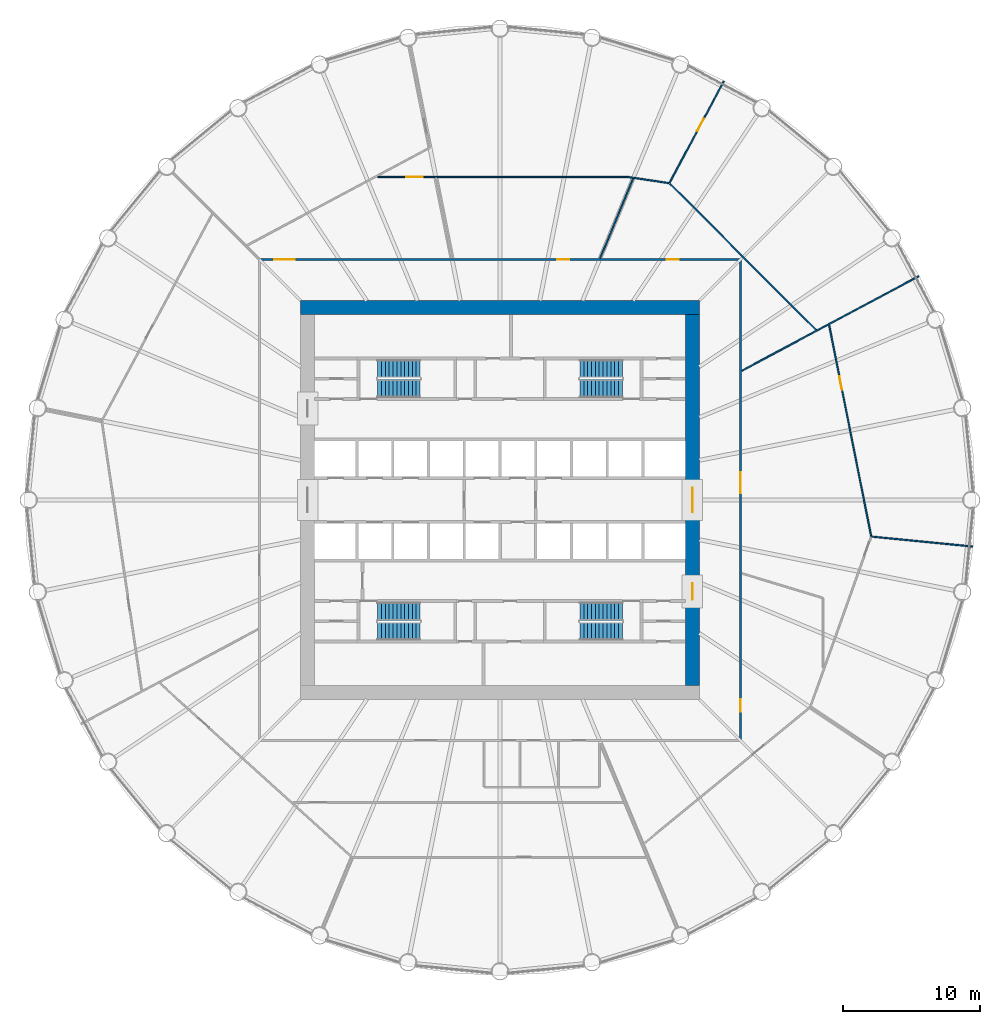
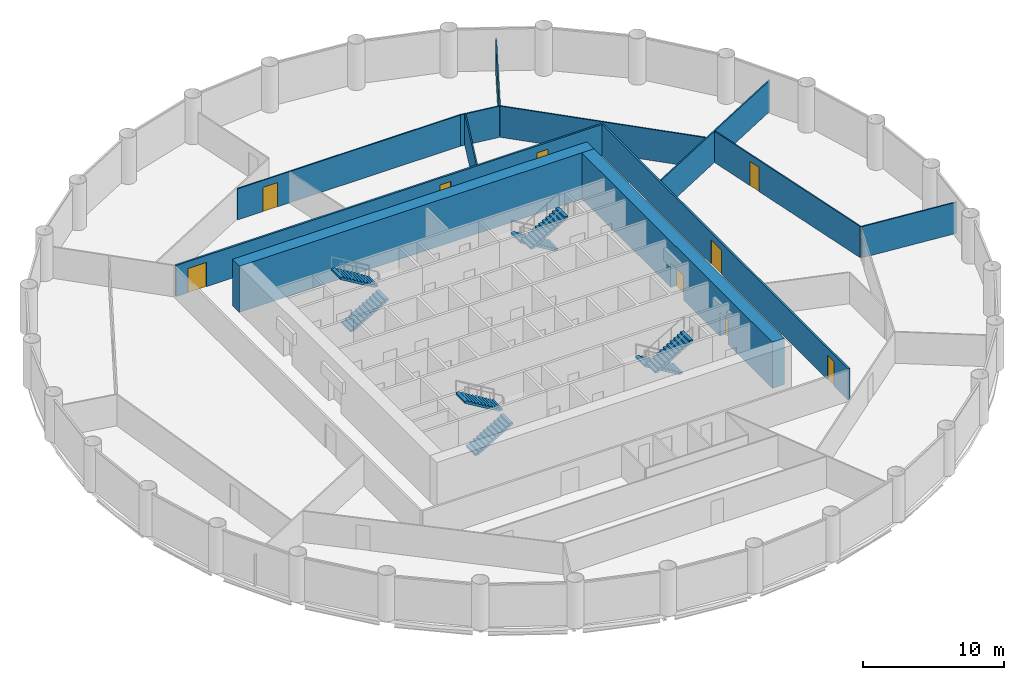
# One storey, part 7 of 8: 12 walls, 10 doors, 8 stair flights, 10 openings, 4 elements without a shape of their own.
"""IFC4 building model written with IfcOpenShell, lengths in metres."""

from ifc_helpers import new_model, si_unit, direction, frame, frame_2d, origin, place, context, subcontext, project, spatial, polyline, rectangle, outline, extrude, material, layer, layer_set, type_object, element, fill, aggregate, save


model = new_model("IFC4")

# Units and contexts
model_context = context("Model", 3, precision=1e-05, world=origin(), true_north=direction((0.0, 1.0)))
body_context = subcontext(model_context, "Body", "Model", "MODEL_VIEW")
ifc_project = project(units=[si_unit("LENGTHUNIT", "METRE"), si_unit("AREAUNIT", "SQUARE_METRE"), si_unit("VOLUMEUNIT", "CUBIC_METRE"), si_unit("PLANEANGLEUNIT", "RADIAN"), si_unit("MASSUNIT", "GRAM", prefix="KILO")], contexts=[model_context])

# Site, building, storey
site_placement = place(None, origin())
site = spatial("IfcSite", under=ifc_project, at=site_placement, CompositionType="ELEMENT")
building_placement = place(site_placement, origin())
building = spatial("IfcBuilding", under=site, at=building_placement, Name="Corvane Civic Tower", CompositionType="ELEMENT")
storey_placement = place(building_placement, frame((0.0, 0.0, 110.5)))
storey = spatial("IfcBuildingStorey", under=building, at=storey_placement, Name="L25", CompositionType="ELEMENT", Elevation=110.5)

# Wall
ifc_material_1 = material(Name="Concrete C70/85", Category="concrete")
ifc_layer_1 = layer(ifc_material_1, 1.0)
ifc_layer_set_1 = layer_set([ifc_layer_1], Name="Concrete C70/85")
wall_type_1 = type_object("IfcWallType", Name="CORE WALL 1000 C70/85", PredefinedType="SHEAR", material=ifc_layer_set_1)
wall_1_placement = place(storey_placement, frame((-14.5, 14.0, 0.0), z_axis=(0.0, 0.0, 1.0), x_axis=(1.0, 0.0, 0.0)))
element("IfcWall", 1, at=wall_1_placement, inside=storey, type_object=wall_type_1, Name="W-L25-core-N", PredefinedType="SHEAR", context=body_context, shape_type="SweptSolid", body=[
    extrude(rectangle(XDim=29.0, YDim=1.0, at=frame_2d((14.5, 0.0))), origin(), (0.0, 0.0, 1.0), 4.0),
])

# Wall, openings, doors
wall_2_placement = place(storey_placement, frame((14.0, -13.5, 0.0), z_axis=(0.0, 0.0, 1.0), x_axis=(0.0, 1.0, 0.0)))
wall_2 = element("IfcWall", 2, at=wall_2_placement, inside=storey, type_object=wall_type_1, Name="W-L25-core-E", PredefinedType="SHEAR", context=body_context, shape_type="SweptSolid", body=[
    extrude(rectangle(XDim=27.0, YDim=1.0, at=frame_2d((13.5, 0.0))), origin(), (0.0, 0.0, 1.0), 4.0),
])
opening_1_placement = place(wall_2_placement, frame((12.60009765625, 0.0, 0.0)))
opening_1 = element("IfcOpeningElement", 3, at=opening_1_placement, cuts=wall_2, Name="Opening L25.C28", PredefinedType="OPENING", context=body_context, shape_type="SweptSolid", body=[
    extrude(rectangle(XDim=1.800048828125, YDim=2.10009765625, at=frame_2d((0.89990234375, 1.050048828125))), frame((0.0, 0.510009765625, 0.0), z_axis=(0.0, -1.0, 0.0), x_axis=(1.0, 0.0, 0.0)), (0.0, 0.0, 1.0), 1.02001953125),
])
opening_2_placement = place(wall_2_placement, frame((6.25, 0.0, 0.0)))
opening_2 = element("IfcOpeningElement", 4, at=opening_2_placement, cuts=wall_2, Name="Opening L25.C30", PredefinedType="OPENING", context=body_context, shape_type="SweptSolid", body=[
    extrude(rectangle(XDim=1.199951171875, YDim=2.10009765625, at=frame_2d((0.60009765625, 1.050048828125))), frame((0.0, 0.510009765625, 0.0), z_axis=(0.0, -1.0, 0.0), x_axis=(1.0, 0.0, 0.0)), (0.0, 0.0, 1.0), 1.02001953125),
])
ifc_material_2 = material(Name="Steel fire door leaf", Category="steel")
door_type_1 = type_object("IfcDoorType", Name="CR-DOOR-CORE-1800", OperationType="DOUBLE_DOOR_SINGLE_SWING", PredefinedType="DOOR", material=ifc_material_2)
door_1_placement = place(opening_1_placement, origin())
door_1 = element("IfcDoor", 5, at=door_1_placement, inside=storey, type_object=door_type_1, Name="L25 door", OperationType="DOUBLE_DOOR_SINGLE_SWING", OverallHeight=2.10009765625, OverallWidth=1.800048828125, PredefinedType="DOOR", context=body_context, shape_type="SweptSolid", body=[
    extrude(rectangle(XDim=1.800048828125, YDim=2.10009765625, at=frame_2d((0.89990234375, 1.050048828125))), frame((0.0, 0.02490234375, 0.0), z_axis=(0.0, -1.0, 0.0), x_axis=(1.0, 0.0, 0.0)), (0.0, 0.0, 1.0), 0.050048828125),
])
fill(opening_1, door_1)
door_2_placement = place(opening_2_placement, origin())
door_2 = element("IfcDoor", 6, at=door_2_placement, inside=storey, type_object=door_type_1, Name="L25 door", OperationType="DOUBLE_DOOR_SINGLE_SWING", OverallHeight=2.10009765625, OverallWidth=1.199951171875, PredefinedType="DOOR", context=body_context, shape_type="SweptSolid", body=[
    extrude(rectangle(XDim=1.199951171875, YDim=2.10009765625, at=frame_2d((0.60009765625, 1.050048828125))), frame((0.0, 0.02490234375, 0.0), z_axis=(0.0, -1.0, 0.0), x_axis=(1.0, 0.0, 0.0)), (0.0, 0.0, 1.0), 0.050048828125),
])
fill(opening_2, door_2)

# Wall
ifc_material_3 = material(Name="Plasterboard")
ifc_layer_2 = layer(ifc_material_3, 0.10009765625)
ifc_layer_set_2 = layer_set([ifc_layer_2], Name="Plasterboard")
wall_type_2 = type_object("IfcWallType", Name="Partition 100 plasterboard on studs", PredefinedType="PARTITIONING", material=ifc_layer_set_2)
wall_3_placement = place(storey_placement, frame((27.04931640625, -2.6640625, 0.0), z_axis=(0.0, 0.0, 1.0), x_axis=(0.995184334833, -0.09802111866, 0.0)))
element("IfcWall", 7, at=wall_3_placement, inside=storey, type_object=wall_type_2, Name="Partition L25.021", PredefinedType="PARTITIONING", context=body_context, shape_type="SweptSolid", body=[
    extrude(rectangle(XDim=7.369873046875, YDim=0.10009765625, at=frame_2d((3.68505859375, 0.0))), origin(), (0.0, 0.0, 1.0), 2.699951171875),
])

# Wall, opening, door
wall_4_placement = place(storey_placement, frame((23.94970703125, 12.728271484375, 0.0), z_axis=(0.0, 0.0, 1.0), x_axis=(0.195090209706, -0.980785302743, 0.0)))
wall_4 = element("IfcWall", 8, at=wall_4_placement, inside=storey, type_object=wall_type_2, Name="Partition L25.022", PredefinedType="PARTITIONING", context=body_context, shape_type="SweptSolid", body=[
    extrude(rectangle(XDim=15.65283203125, YDim=0.10009765625, at=frame_2d((7.826416015625, 0.0))), origin(), (0.0, 0.0, 1.0), 2.699951171875),
])
opening_3_placement = place(wall_4_placement, frame((3.80029296875, 0.0, 0.0)))
opening_3 = element("IfcOpeningElement", 9, at=opening_3_placement, cuts=wall_4, Name="Opening L25.017", PredefinedType="OPENING", context=body_context, shape_type="SweptSolid", body=[
    extrude(rectangle(XDim=1.0, YDim=2.10009765625, at=frame_2d((0.5, 1.050048828125))), frame((0.0, 0.06005859375, 0.0), z_axis=(0.0, -1.0, 0.0), x_axis=(1.0, 0.0, 0.0)), (0.0, 0.0, 1.0), 0.1201171875),
])
ifc_material_4 = material(Name="Timber", Category="wood")
door_type_2 = type_object("IfcDoorType", Name="Single door 1000", OperationType="NOTDEFINED", PredefinedType="DOOR", material=ifc_material_4)
door_3_placement = place(opening_3_placement, origin())
door_3 = element("IfcDoor", 10, at=door_3_placement, inside=storey, type_object=door_type_2, Name="Door L25.017", OperationType="SINGLE_SWING_LEFT", OverallHeight=2.10009765625, OverallWidth=1.0, PredefinedType="DOOR", context=body_context, shape_type="SweptSolid", body=[
    extrude(rectangle(XDim=1.0, YDim=2.10009765625, at=frame_2d((0.5, 1.050048828125))), frame((0.0, 0.02490234375, 0.0), z_axis=(0.0, -1.0, 0.0), x_axis=(1.0, 0.0, 0.0)), (0.0, 0.0, 1.0), 0.050048828125),
])
fill(opening_3, door_3)

# Walls
wall_5_placement = place(storey_placement, frame((17.5986328125, 9.406494140625, 0.0), z_axis=(0.0, 0.0, 1.0), x_axis=(0.881914523069, 0.471409348655, 0.0)))
element("IfcWall", 11, at=wall_5_placement, inside=storey, type_object=wall_type_2, Name="Partition L25.025", PredefinedType="PARTITIONING", context=body_context, shape_type="SweptSolid", body=[
    extrude(rectangle(XDim=14.59521484375, YDim=0.10009765625, at=frame_2d((7.297607421875, 0.0))), origin(), (0.0, 0.0, 1.0), 2.699951171875),
])
wall_6_placement = place(storey_placement, frame((12.348388671875, 23.027099609375, 0.0), z_axis=(0.0, 0.0, 1.0), x_axis=(0.707122979727, -0.707090582275, 0.0)))
element("IfcWall", 12, at=wall_6_placement, inside=storey, type_object=wall_type_2, Name="Partition L25.026", PredefinedType="PARTITIONING", context=body_context, shape_type="SweptSolid", body=[
    extrude(rectangle(XDim=15.071533203125, YDim=0.10009765625, at=frame_2d((7.53564453125, 0.0))), origin(), (0.0, 0.0, 1.0), 2.699951171875),
])
wall_7_placement = place(storey_placement, frame((7.28759765625, 17.593994140625, 0.0), z_axis=(0.0, 0.0, 1.0), x_axis=(0.382691384882, 0.923876238431, 0.0)))
element("IfcWall", 13, at=wall_7_placement, inside=storey, type_object=wall_type_2, Name="Partition L25.030", PredefinedType="PARTITIONING", context=body_context, shape_type="SweptSolid", body=[
    extrude(rectangle(XDim=6.2646484375, YDim=0.10009765625, at=frame_2d((3.13232421875, 0.0))), origin(), (0.0, 0.0, 1.0), 2.699951171875),
])
wall_8_placement = place(storey_placement, frame((9.315673828125, 23.49951171875, 0.0), z_axis=(0.0, 0.0, 1.0), x_axis=(0.989172900359, -0.146754806379, 0.0)))
element("IfcWall", 14, at=wall_8_placement, inside=storey, type_object=wall_type_2, Name="Partition L25.032", PredefinedType="PARTITIONING", context=body_context, shape_type="SweptSolid", body=[
    extrude(rectangle(XDim=3.00439453125, YDim=0.10009765625, at=frame_2d((1.502197265625, 0.0))), origin(), (0.0, 0.0, 1.0), 2.699951171875),
])

# Wall, opening, door
wall_9_placement = place(storey_placement, frame((12.33984375, 23.086181640625, 0.0), z_axis=(0.0, 0.0, 1.0), x_axis=(0.471400732422, 0.881919128646, 0.0)))
wall_9 = element("IfcWall", 15, at=wall_9_placement, inside=storey, type_object=wall_type_2, Name="Partition L25.033", PredefinedType="PARTITIONING", context=body_context, shape_type="SweptSolid", body=[
    extrude(rectangle(XDim=8.373046875, YDim=0.10009765625, at=frame_2d((4.1865234375, 0.0))), origin(), (0.0, 0.0, 1.0), 2.699951171875),
])
opening_4_placement = place(wall_9_placement, frame((4.275146484375, 0.0, 0.0)))
opening_4 = element("IfcOpeningElement", 16, at=opening_4_placement, cuts=wall_9, Name="Opening L25.012", PredefinedType="OPENING", context=body_context, shape_type="SweptSolid", body=[
    extrude(rectangle(XDim=1.0, YDim=2.10009765625, at=frame_2d((0.5, 1.050048828125))), frame((0.0, 0.06005859375, 0.0), z_axis=(0.0, -1.0, 0.0), x_axis=(1.0, 0.0, 0.0)), (0.0, 0.0, 1.0), 0.1201171875),
])
door_4_placement = place(opening_4_placement, frame((1.0, 0.0, 0.0), z_axis=(0.0, 0.0, 1.0), x_axis=(-1.0, 0.0, 0.0)))
door_4 = element("IfcDoor", 17, at=door_4_placement, inside=storey, type_object=door_type_2, Name="Door L25.012", OperationType="SINGLE_SWING_LEFT", OverallHeight=2.10009765625, OverallWidth=1.0, PredefinedType="DOOR", context=body_context, shape_type="SweptSolid", body=[
    extrude(rectangle(XDim=1.0, YDim=2.10009765625, at=frame_2d((0.5, 1.050048828125))), frame((0.0, 0.02490234375, 0.0), z_axis=(0.0, -1.0, 0.0), x_axis=(1.0, 0.0, 0.0)), (0.0, 0.0, 1.0), 0.050048828125),
])
fill(opening_4, door_4)

wall_10_placement = place(storey_placement, frame((-8.899658203125, 23.5, 0.0), z_axis=(0.0, 0.0, 1.0), x_axis=(1.0, 0.0, 0.0)))
wall_10 = element("IfcWall", 18, at=wall_10_placement, inside=storey, type_object=wall_type_2, Name="Partition L25.034", PredefinedType="PARTITIONING", context=body_context, shape_type="SweptSolid", body=[
    extrude(rectangle(XDim=18.2080078125, YDim=0.10009765625, at=frame_2d((9.10400390625, 0.0))), origin(), (0.0, 0.0, 1.0), 2.699951171875),
])
opening_5_placement = place(wall_10_placement, frame((2.069091796875, 0.0, 0.0)))
opening_5 = element("IfcOpeningElement", 19, at=opening_5_placement, cuts=wall_10, Name="Opening L25.013", PredefinedType="OPENING", context=body_context, shape_type="SweptSolid", body=[
    extrude(rectangle(XDim=1.199951171875, YDim=2.10009765625, at=frame_2d((0.60009765625, 1.050048828125))), frame((0.0, 0.06005859375, 0.0), z_axis=(0.0, -1.0, 0.0), x_axis=(1.0, 0.0, 0.0)), (0.0, 0.0, 1.0), 0.1201171875),
])
ifc_material_5 = material(Name="Timber", Category="wood")
door_type_3 = type_object("IfcDoorType", Name="Double door 1200", OperationType="NOTDEFINED", PredefinedType="DOOR", material=ifc_material_5)
door_5_placement = place(opening_5_placement, origin())
door_5 = element("IfcDoor", 20, at=door_5_placement, inside=storey, type_object=door_type_3, Name="Door L25.013", OperationType="DOUBLE_DOOR_SINGLE_SWING", OverallHeight=2.10009765625, OverallWidth=1.199951171875, PredefinedType="DOOR", context=body_context, shape_type="SweptSolid", body=[
    extrude(rectangle(XDim=1.199951171875, YDim=2.10009765625, at=frame_2d((0.60009765625, 1.050048828125))), frame((0.0, 0.02490234375, 0.0), z_axis=(0.0, -1.0, 0.0), x_axis=(1.0, 0.0, 0.0)), (0.0, 0.0, 1.0), 0.050048828125),
])
fill(opening_5, door_5)

# Wall, openings, doors
ifc_material_6 = material(Name="Plasterboard")
ifc_layer_3 = layer(ifc_material_6, 0.14990234375)
ifc_layer_set_3 = layer_set([ifc_layer_3], Name="Plasterboard")
wall_type_3 = type_object("IfcWallType", Name="Tenancy wall 150 EI 60", PredefinedType="PARTITIONING", material=ifc_layer_set_3)
wall_11_placement = place(storey_placement, frame((17.5, -17.425048828125, 0.0), z_axis=(0.0, 0.0, 1.0), x_axis=(0.0, 1.0, 0.0)))
wall_11 = element("IfcWall", 21, at=wall_11_placement, inside=storey, type_object=wall_type_3, Name="Partition L25.015", PredefinedType="PARTITIONING", context=body_context, shape_type="SweptSolid", body=[
    extrude(rectangle(XDim=34.85009765625, YDim=0.14990234375, at=frame_2d((17.425048828125, 0.0))), origin(), (0.0, 0.0, 1.0), 2.699951171875),
])
opening_6_placement = place(wall_11_placement, frame((17.930419921875, 0.0, 0.0)))
opening_6 = element("IfcOpeningElement", 22, at=opening_6_placement, cuts=wall_11, Name="Opening L25.020", PredefinedType="OPENING", context=body_context, shape_type="SweptSolid", body=[
    extrude(rectangle(XDim=1.5, YDim=2.10009765625, at=frame_2d((0.75, 1.050048828125))), frame((0.0, 0.0849609375, 0.0), z_axis=(0.0, -1.0, 0.0), x_axis=(1.0, 0.0, 0.0)), (0.0, 0.0, 1.0), 0.169921875),
])
opening_7_placement = place(wall_11_placement, frame((2.022705078125, 0.0, 0.0)))
opening_7 = element("IfcOpeningElement", 23, at=opening_7_placement, cuts=wall_11, Name="Opening L25.021", PredefinedType="OPENING", context=body_context, shape_type="SweptSolid", body=[
    extrude(rectangle(XDim=0.89990234375, YDim=2.10009765625, at=frame_2d((0.449951171875, 1.050048828125))), frame((0.0, 0.0849609375, 0.0), z_axis=(0.0, -1.0, 0.0), x_axis=(1.0, 0.0, 0.0)), (0.0, 0.0, 1.0), 0.169921875),
])
ifc_material_7 = material(Name="Steel and timber", Category="steel")
door_type_4 = type_object("IfcDoorType", Name="Fire door FD30S 900", OperationType="NOTDEFINED", PredefinedType="DOOR", material=ifc_material_7)
door_6_placement = place(opening_7_placement, frame((0.89990234375, 0.0, 0.0), z_axis=(0.0, 0.0, 1.0), x_axis=(-1.0, 0.0, 0.0)))
door_6 = element("IfcDoor", 24, at=door_6_placement, inside=storey, type_object=door_type_4, Name="Door L25.021", OperationType="SINGLE_SWING_LEFT", OverallHeight=2.10009765625, OverallWidth=0.89990234375, PredefinedType="DOOR", context=body_context, shape_type="SweptSolid", body=[
    extrude(rectangle(XDim=0.89990234375, YDim=2.10009765625, at=frame_2d((0.449951171875, 1.050048828125))), frame((0.0, 0.02490234375, 0.0), z_axis=(0.0, -1.0, 0.0), x_axis=(1.0, 0.0, 0.0)), (0.0, 0.0, 1.0), 0.050048828125),
])
fill(opening_7, door_6)
ifc_material_8 = material(Name="Steel and timber", Category="steel")
door_type_5 = type_object("IfcDoorType", Name="Fire door FD60 double 1500", OperationType="NOTDEFINED", PredefinedType="DOOR", material=ifc_material_8)
door_7_placement = place(opening_6_placement, frame((1.5, 0.0, 0.0), z_axis=(0.0, 0.0, 1.0), x_axis=(-1.0, 0.0, 0.0)))
door_7 = element("IfcDoor", 25, at=door_7_placement, inside=storey, type_object=door_type_5, Name="Door L25.020", OperationType="DOUBLE_DOOR_SINGLE_SWING", OverallHeight=2.10009765625, OverallWidth=1.5, PredefinedType="DOOR", context=body_context, shape_type="SweptSolid", body=[
    extrude(rectangle(XDim=1.5, YDim=2.10009765625, at=frame_2d((0.75, 1.050048828125))), frame((0.0, 0.02490234375, 0.0), z_axis=(0.0, -1.0, 0.0), x_axis=(1.0, 0.0, 0.0)), (0.0, 0.0, 1.0), 0.050048828125),
])
fill(opening_6, door_7)

wall_12_placement = place(storey_placement, frame((-17.425048828125, 17.5, 0.0), z_axis=(0.0, 0.0, 1.0), x_axis=(1.0, 0.0, 0.0)))
wall_12 = element("IfcWall", 26, at=wall_12_placement, inside=storey, type_object=wall_type_3, Name="Partition L25.027", PredefinedType="PARTITIONING", context=body_context, shape_type="SweptSolid", body=[
    extrude(rectangle(XDim=34.85009765625, YDim=0.14990234375, at=frame_2d((17.425048828125, 0.0))), origin(), (0.0, 0.0, 1.0), 2.699951171875),
])
opening_8_placement = place(wall_12_placement, frame((1.00048828125, 0.0, 0.0)))
opening_8 = element("IfcOpeningElement", 27, at=opening_8_placement, cuts=wall_12, Name="Opening L25.014", PredefinedType="OPENING", context=body_context, shape_type="SweptSolid", body=[
    extrude(rectangle(XDim=1.5, YDim=2.10009765625, at=frame_2d((0.75, 1.050048828125))), frame((0.0, 0.0849609375, 0.0), z_axis=(0.0, -1.0, 0.0), x_axis=(1.0, 0.0, 0.0)), (0.0, 0.0, 1.0), 0.169921875),
])
opening_9_placement = place(wall_12_placement, frame((21.578857421875, 0.0, 0.0)))
opening_9 = element("IfcOpeningElement", 28, at=opening_9_placement, cuts=wall_12, Name="Opening L25.015", PredefinedType="OPENING", context=body_context, shape_type="SweptSolid", body=[
    extrude(rectangle(XDim=0.89990234375, YDim=2.10009765625, at=frame_2d((0.449951171875, 1.050048828125))), frame((0.0, 0.0849609375, 0.0), z_axis=(0.0, -1.0, 0.0), x_axis=(1.0, 0.0, 0.0)), (0.0, 0.0, 1.0), 0.169921875),
])
opening_10_placement = place(wall_12_placement, frame((29.5458984375, 0.0, 0.0)))
opening_10 = element("IfcOpeningElement", 29, at=opening_10_placement, cuts=wall_12, Name="Opening L25.016", PredefinedType="OPENING", context=body_context, shape_type="SweptSolid", body=[
    extrude(rectangle(XDim=0.89990234375, YDim=2.10009765625, at=frame_2d((0.449951171875, 1.050048828125))), frame((0.0, 0.0849609375, 0.0), z_axis=(0.0, -1.0, 0.0), x_axis=(1.0, 0.0, 0.0)), (0.0, 0.0, 1.0), 0.169921875),
])
door_8_placement = place(opening_9_placement, origin())
door_8 = element("IfcDoor", 30, at=door_8_placement, inside=storey, type_object=door_type_4, Name="Door L25.015", OperationType="SINGLE_SWING_LEFT", OverallHeight=2.10009765625, OverallWidth=0.89990234375, PredefinedType="DOOR", context=body_context, shape_type="SweptSolid", body=[
    extrude(rectangle(XDim=0.89990234375, YDim=2.10009765625, at=frame_2d((0.449951171875, 1.050048828125))), frame((0.0, 0.02490234375, 0.0), z_axis=(0.0, -1.0, 0.0), x_axis=(1.0, 0.0, 0.0)), (0.0, 0.0, 1.0), 0.050048828125),
])
fill(opening_9, door_8)
door_9_placement = place(opening_10_placement, origin())
door_9 = element("IfcDoor", 31, at=door_9_placement, inside=storey, type_object=door_type_4, Name="Door L25.016", OperationType="SINGLE_SWING_RIGHT", OverallHeight=2.10009765625, OverallWidth=0.89990234375, PredefinedType="DOOR", context=body_context, shape_type="SweptSolid", body=[
    extrude(rectangle(XDim=0.89990234375, YDim=2.10009765625, at=frame_2d((0.449951171875, 1.050048828125))), frame((0.0, 0.02490234375, 0.0), z_axis=(0.0, -1.0, 0.0), x_axis=(1.0, 0.0, 0.0)), (0.0, 0.0, 1.0), 0.050048828125),
])
fill(opening_10, door_9)
door_10_placement = place(opening_8_placement, origin())
door_10 = element("IfcDoor", 32, at=door_10_placement, inside=storey, type_object=door_type_5, Name="Door L25.014", OperationType="DOUBLE_DOOR_SINGLE_SWING", OverallHeight=2.10009765625, OverallWidth=1.5, PredefinedType="DOOR", context=body_context, shape_type="SweptSolid", body=[
    extrude(rectangle(XDim=1.5, YDim=2.10009765625, at=frame_2d((0.75, 1.050048828125))), frame((0.0, 0.02490234375, 0.0), z_axis=(0.0, -1.0, 0.0), x_axis=(1.0, 0.0, 0.0)), (0.0, 0.0, 1.0), 0.050048828125),
])
fill(opening_8, door_10)

# Stair, stair flights
ifc_material_9 = material(Name="Concrete C40/50", Category="concrete")
stair_type = type_object("IfcStairType", Name="ST-STAIR-HALFTURN", PredefinedType="HALF_TURN_STAIR", material=ifc_material_9)
stair_1_placement = place(storey_placement, origin())
stair_1 = element("IfcStair", 33, at=stair_1_placement, inside=storey, type_object=stair_type, Name="L25 Exit stair ST1", PredefinedType="HALF_TURN_STAIR")
ifc_material_10 = material(Name="Concrete C40/50", Category="concrete")
stair_flight_type = type_object("IfcStairFlightType", Name="ST-FLIGHT-RC", PredefinedType="STRAIGHT", material=ifc_material_10)
stair_flight_1_placement = place(storey_placement, frame((8.89990234375, 9.550048828125, 0.0), z_axis=(0.0, 0.0, 1.0), x_axis=(-1.0, 0.0, 0.0)))
stair_flight_1 = element("IfcStairFlight", 34, at=stair_flight_1_placement, type_object=stair_flight_type, Name="ST1 flight 1", NumberOfRisers=12, NumberOfTreads=11, PredefinedType="STRAIGHT", RiserHeight=0.166666667, TreadLength=0.28, context=body_context, shape_type="SweptSolid", body=[
    extrude(outline(polyline([(0.0, 0.0), (0.0, 0.166748046875), (0.280029296875, 0.166748046875), (0.280029296875, 0.333251953125), (0.56005859375, 0.333251953125), (0.56005859375, 0.5), (0.840087890625, 0.5), (0.840087890625, 0.666748046875), (1.1201171875, 0.666748046875), (1.1201171875, 0.833251953125), (1.39990234375, 0.833251953125), (1.39990234375, 1.0), (1.679931640625, 1.0), (1.679931640625, 1.166748046875), (1.9599609375, 1.166748046875), (1.9599609375, 1.333251953125), (2.239990234375, 1.333251953125), (2.239990234375, 1.5), (2.52001953125, 1.5), (2.52001953125, 1.666748046875), (2.800048828125, 1.666748046875), (2.800048828125, 1.833251953125), (3.080078125, 1.833251953125), (3.080078125, 2.0), (3.080078125, 1.658935546875), (0.29296875, 0.0), (0.0, 0.0)])), frame((0.0, 0.64990234375, 0.0), z_axis=(0.0, -1.0, 0.0), x_axis=(1.0, 0.0, 0.0)), (0.0, 0.0, 1.0), 1.300048828125),
])
stair_flight_2_placement = place(storey_placement, frame((5.820068359375, 8.10009765625, 2.0), z_axis=(0.0, 0.0, 1.0), x_axis=(1.0, 0.0, 0.0)))
stair_flight_2 = element("IfcStairFlight", 35, at=stair_flight_2_placement, type_object=stair_flight_type, Name="ST1 flight 2", NumberOfRisers=12, NumberOfTreads=11, PredefinedType="STRAIGHT", RiserHeight=0.166666667, TreadLength=0.28, context=body_context, shape_type="SweptSolid", body=[
    extrude(outline(polyline([(0.0, 0.0), (0.0, 0.166748046875), (0.280029296875, 0.166748046875), (0.280029296875, 0.333251953125), (0.56005859375, 0.333251953125), (0.56005859375, 0.5), (0.840087890625, 0.5), (0.840087890625, 0.666748046875), (1.1201171875, 0.666748046875), (1.1201171875, 0.833251953125), (1.39990234375, 0.833251953125), (1.39990234375, 1.0), (1.679931640625, 1.0), (1.679931640625, 1.166748046875), (1.9599609375, 1.166748046875), (1.9599609375, 1.333251953125), (2.239990234375, 1.333251953125), (2.239990234375, 1.5), (2.52001953125, 1.5), (2.52001953125, 1.666748046875), (2.800048828125, 1.666748046875), (2.800048828125, 1.833251953125), (3.080078125, 1.833251953125), (3.080078125, 2.0), (3.080078125, 1.658935546875), (0.29296875, 0.0), (0.0, 0.0)])), frame((0.0, 0.64990234375, 0.0), z_axis=(0.0, -1.0, 0.0), x_axis=(1.0, 0.0, 0.0)), (0.0, 0.0, 1.0), 1.300048828125),
])
aggregate(stair_1, [stair_flight_1, stair_flight_2])

stair_2_placement = place(storey_placement, origin())
stair_2 = element("IfcStair", 36, at=stair_2_placement, inside=storey, type_object=stair_type, Name="L25 Exit stair ST2", PredefinedType="HALF_TURN_STAIR")
stair_flight_3_placement = place(storey_placement, frame((8.89990234375, -8.10009765625, 0.0), z_axis=(0.0, 0.0, 1.0), x_axis=(-1.0, 0.0, 0.0)))
stair_flight_3 = element("IfcStairFlight", 37, at=stair_flight_3_placement, type_object=stair_flight_type, Name="ST2 flight 1", NumberOfRisers=12, NumberOfTreads=11, PredefinedType="STRAIGHT", RiserHeight=0.166666667, TreadLength=0.28, context=body_context, shape_type="SweptSolid", body=[
    extrude(outline(polyline([(0.0, 0.0), (0.0, 0.166748046875), (0.280029296875, 0.166748046875), (0.280029296875, 0.333251953125), (0.56005859375, 0.333251953125), (0.56005859375, 0.5), (0.840087890625, 0.5), (0.840087890625, 0.666748046875), (1.1201171875, 0.666748046875), (1.1201171875, 0.833251953125), (1.39990234375, 0.833251953125), (1.39990234375, 1.0), (1.679931640625, 1.0), (1.679931640625, 1.166748046875), (1.9599609375, 1.166748046875), (1.9599609375, 1.333251953125), (2.239990234375, 1.333251953125), (2.239990234375, 1.5), (2.52001953125, 1.5), (2.52001953125, 1.666748046875), (2.800048828125, 1.666748046875), (2.800048828125, 1.833251953125), (3.080078125, 1.833251953125), (3.080078125, 2.0), (3.080078125, 1.658935546875), (0.29296875, 0.0), (0.0, 0.0)])), frame((0.0, 0.64990234375, 0.0), z_axis=(0.0, -1.0, 0.0), x_axis=(1.0, 0.0, 0.0)), (0.0, 0.0, 1.0), 1.300048828125),
])
stair_flight_4_placement = place(storey_placement, frame((5.820068359375, -9.550048828125, 2.0), z_axis=(0.0, 0.0, 1.0), x_axis=(1.0, 0.0, 0.0)))
stair_flight_4 = element("IfcStairFlight", 38, at=stair_flight_4_placement, type_object=stair_flight_type, Name="ST2 flight 2", NumberOfRisers=12, NumberOfTreads=11, PredefinedType="STRAIGHT", RiserHeight=0.166666667, TreadLength=0.28, context=body_context, shape_type="SweptSolid", body=[
    extrude(outline(polyline([(0.0, 0.0), (0.0, 0.166748046875), (0.280029296875, 0.166748046875), (0.280029296875, 0.333251953125), (0.56005859375, 0.333251953125), (0.56005859375, 0.5), (0.840087890625, 0.5), (0.840087890625, 0.666748046875), (1.1201171875, 0.666748046875), (1.1201171875, 0.833251953125), (1.39990234375, 0.833251953125), (1.39990234375, 1.0), (1.679931640625, 1.0), (1.679931640625, 1.166748046875), (1.9599609375, 1.166748046875), (1.9599609375, 1.333251953125), (2.239990234375, 1.333251953125), (2.239990234375, 1.5), (2.52001953125, 1.5), (2.52001953125, 1.666748046875), (2.800048828125, 1.666748046875), (2.800048828125, 1.833251953125), (3.080078125, 1.833251953125), (3.080078125, 2.0), (3.080078125, 1.658935546875), (0.29296875, 0.0), (0.0, 0.0)])), frame((0.0, 0.64990234375, 0.0), z_axis=(0.0, -1.0, 0.0), x_axis=(1.0, 0.0, 0.0)), (0.0, 0.0, 1.0), 1.300048828125),
])
aggregate(stair_2, [stair_flight_3, stair_flight_4])

stair_3_placement = place(storey_placement, origin())
stair_3 = element("IfcStair", 39, at=stair_3_placement, inside=storey, type_object=stair_type, Name="L25 Exit stair ST3", PredefinedType="HALF_TURN_STAIR")
stair_flight_5_placement = place(storey_placement, frame((-8.89990234375, -9.550048828125, 0.0), z_axis=(0.0, 0.0, 1.0), x_axis=(1.0, 0.0, 0.0)))
stair_flight_5 = element("IfcStairFlight", 40, at=stair_flight_5_placement, type_object=stair_flight_type, Name="ST3 flight 1", NumberOfRisers=12, NumberOfTreads=11, PredefinedType="STRAIGHT", RiserHeight=0.166666667, TreadLength=0.28, context=body_context, shape_type="SweptSolid", body=[
    extrude(outline(polyline([(0.0, 0.0), (0.0, 0.166748046875), (0.280029296875, 0.166748046875), (0.280029296875, 0.333251953125), (0.56005859375, 0.333251953125), (0.56005859375, 0.5), (0.840087890625, 0.5), (0.840087890625, 0.666748046875), (1.1201171875, 0.666748046875), (1.1201171875, 0.833251953125), (1.39990234375, 0.833251953125), (1.39990234375, 1.0), (1.679931640625, 1.0), (1.679931640625, 1.166748046875), (1.9599609375, 1.166748046875), (1.9599609375, 1.333251953125), (2.239990234375, 1.333251953125), (2.239990234375, 1.5), (2.52001953125, 1.5), (2.52001953125, 1.666748046875), (2.800048828125, 1.666748046875), (2.800048828125, 1.833251953125), (3.080078125, 1.833251953125), (3.080078125, 2.0), (3.080078125, 1.658935546875), (0.29296875, 0.0), (0.0, 0.0)])), frame((0.0, 0.64990234375, 0.0), z_axis=(0.0, -1.0, 0.0), x_axis=(1.0, 0.0, 0.0)), (0.0, 0.0, 1.0), 1.300048828125),
])
stair_flight_6_placement = place(storey_placement, frame((-5.820068359375, -8.10009765625, 2.0), z_axis=(0.0, 0.0, 1.0), x_axis=(-1.0, 0.0, 0.0)))
stair_flight_6 = element("IfcStairFlight", 41, at=stair_flight_6_placement, type_object=stair_flight_type, Name="ST3 flight 2", NumberOfRisers=12, NumberOfTreads=11, PredefinedType="STRAIGHT", RiserHeight=0.166666667, TreadLength=0.28, context=body_context, shape_type="SweptSolid", body=[
    extrude(outline(polyline([(0.0, 0.0), (0.0, 0.166748046875), (0.280029296875, 0.166748046875), (0.280029296875, 0.333251953125), (0.56005859375, 0.333251953125), (0.56005859375, 0.5), (0.840087890625, 0.5), (0.840087890625, 0.666748046875), (1.1201171875, 0.666748046875), (1.1201171875, 0.833251953125), (1.39990234375, 0.833251953125), (1.39990234375, 1.0), (1.679931640625, 1.0), (1.679931640625, 1.166748046875), (1.9599609375, 1.166748046875), (1.9599609375, 1.333251953125), (2.239990234375, 1.333251953125), (2.239990234375, 1.5), (2.52001953125, 1.5), (2.52001953125, 1.666748046875), (2.800048828125, 1.666748046875), (2.800048828125, 1.833251953125), (3.080078125, 1.833251953125), (3.080078125, 2.0), (3.080078125, 1.658935546875), (0.29296875, 0.0), (0.0, 0.0)])), frame((0.0, 0.64990234375, 0.0), z_axis=(0.0, -1.0, 0.0), x_axis=(1.0, 0.0, 0.0)), (0.0, 0.0, 1.0), 1.300048828125),
])
aggregate(stair_3, [stair_flight_5, stair_flight_6])

stair_4_placement = place(storey_placement, origin())
stair_4 = element("IfcStair", 42, at=stair_4_placement, inside=storey, type_object=stair_type, Name="L25 Exit stair ST4", PredefinedType="HALF_TURN_STAIR")
stair_flight_7_placement = place(storey_placement, frame((-8.89990234375, 8.10009765625, 0.0), z_axis=(0.0, 0.0, 1.0), x_axis=(1.0, 0.0, 0.0)))
stair_flight_7 = element("IfcStairFlight", 43, at=stair_flight_7_placement, type_object=stair_flight_type, Name="ST4 flight 1", NumberOfRisers=12, NumberOfTreads=11, PredefinedType="STRAIGHT", RiserHeight=0.166666667, TreadLength=0.28, context=body_context, shape_type="SweptSolid", body=[
    extrude(outline(polyline([(0.0, 0.0), (0.0, 0.166748046875), (0.280029296875, 0.166748046875), (0.280029296875, 0.333251953125), (0.56005859375, 0.333251953125), (0.56005859375, 0.5), (0.840087890625, 0.5), (0.840087890625, 0.666748046875), (1.1201171875, 0.666748046875), (1.1201171875, 0.833251953125), (1.39990234375, 0.833251953125), (1.39990234375, 1.0), (1.679931640625, 1.0), (1.679931640625, 1.166748046875), (1.9599609375, 1.166748046875), (1.9599609375, 1.333251953125), (2.239990234375, 1.333251953125), (2.239990234375, 1.5), (2.52001953125, 1.5), (2.52001953125, 1.666748046875), (2.800048828125, 1.666748046875), (2.800048828125, 1.833251953125), (3.080078125, 1.833251953125), (3.080078125, 2.0), (3.080078125, 1.658935546875), (0.29296875, 0.0), (0.0, 0.0)])), frame((0.0, 0.64990234375, 0.0), z_axis=(0.0, -1.0, 0.0), x_axis=(1.0, 0.0, 0.0)), (0.0, 0.0, 1.0), 1.300048828125),
])
stair_flight_8_placement = place(storey_placement, frame((-5.820068359375, 9.550048828125, 2.0), z_axis=(0.0, 0.0, 1.0), x_axis=(-1.0, 0.0, 0.0)))
stair_flight_8 = element("IfcStairFlight", 44, at=stair_flight_8_placement, type_object=stair_flight_type, Name="ST4 flight 2", NumberOfRisers=12, NumberOfTreads=11, PredefinedType="STRAIGHT", RiserHeight=0.166666667, TreadLength=0.28, context=body_context, shape_type="SweptSolid", body=[
    extrude(outline(polyline([(0.0, 0.0), (0.0, 0.166748046875), (0.280029296875, 0.166748046875), (0.280029296875, 0.333251953125), (0.56005859375, 0.333251953125), (0.56005859375, 0.5), (0.840087890625, 0.5), (0.840087890625, 0.666748046875), (1.1201171875, 0.666748046875), (1.1201171875, 0.833251953125), (1.39990234375, 0.833251953125), (1.39990234375, 1.0), (1.679931640625, 1.0), (1.679931640625, 1.166748046875), (1.9599609375, 1.166748046875), (1.9599609375, 1.333251953125), (2.239990234375, 1.333251953125), (2.239990234375, 1.5), (2.52001953125, 1.5), (2.52001953125, 1.666748046875), (2.800048828125, 1.666748046875), (2.800048828125, 1.833251953125), (3.080078125, 1.833251953125), (3.080078125, 2.0), (3.080078125, 1.658935546875), (0.29296875, 0.0), (0.0, 0.0)])), frame((0.0, 0.64990234375, 0.0), z_axis=(0.0, -1.0, 0.0), x_axis=(1.0, 0.0, 0.0)), (0.0, 0.0, 1.0), 1.300048828125),
])
aggregate(stair_4, [stair_flight_7, stair_flight_8])

save(model, "model.ifc")
